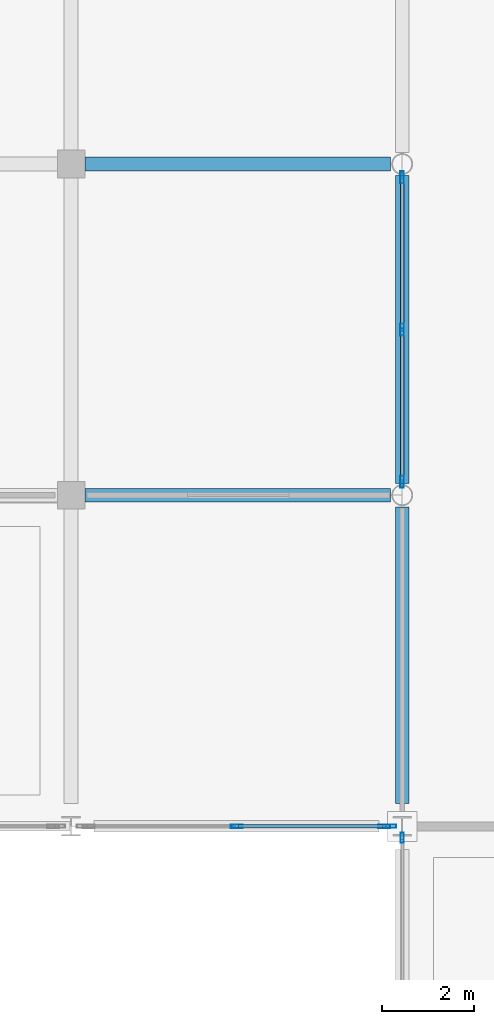
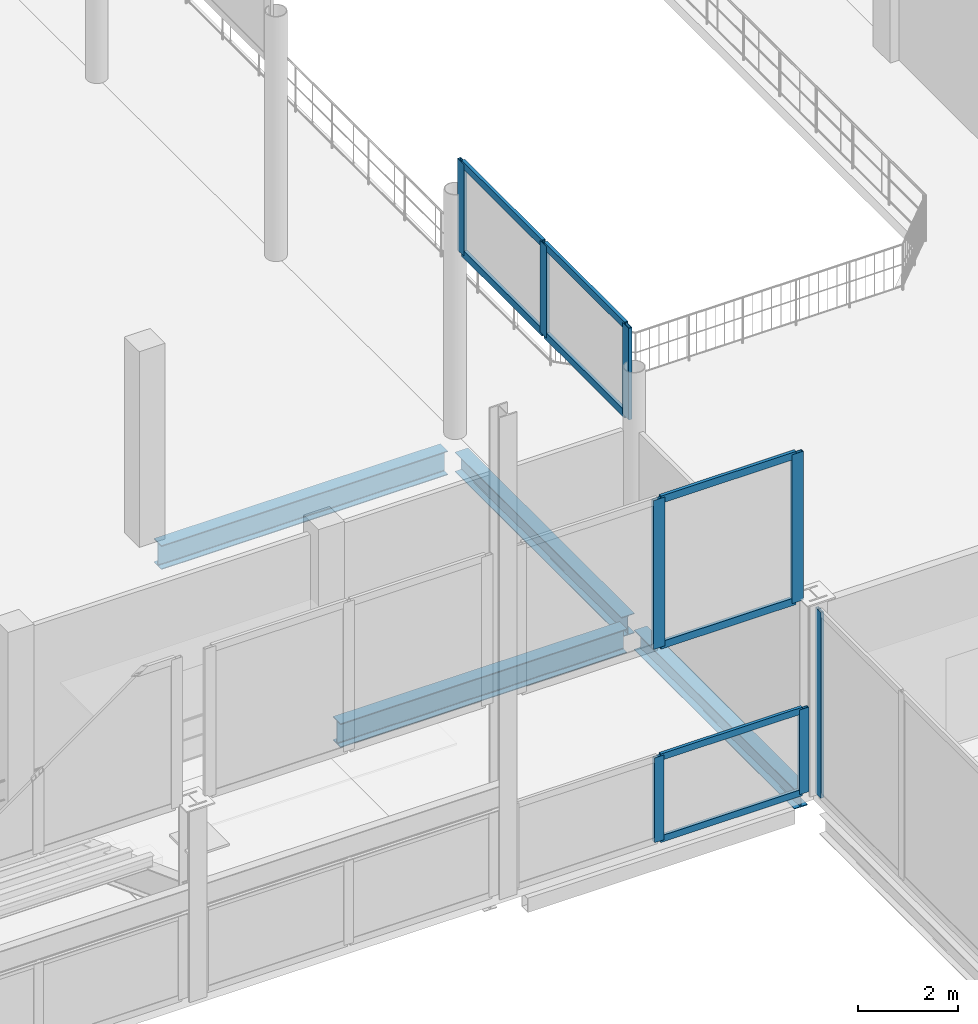
# One storey, part 33 of 120: 16 members, 4 beams, 4 elements without a shape of their own.
"""IFC4 building model written with IfcOpenShell, lengths in metres."""

from ifc_helpers import new_model, si_unit, direction, frame, origin, origin_2d, place, context, subcontext, project, spatial, hollow_rectangle, i_section, extrude, material, material_profile, profile_set, type_object, element, aggregate, save


model = new_model("IFC4")

# Units and contexts
model_context = context("Model", 3, precision=1e-05, world=origin(), true_north=direction((0.0, 1.0)))
body_context = subcontext(model_context, "Body", "Model", "MODEL_VIEW")
ifc_project = project(units=[si_unit("LENGTHUNIT", "METRE"), si_unit("AREAUNIT", "SQUARE_METRE"), si_unit("VOLUMEUNIT", "CUBIC_METRE"), si_unit("PLANEANGLEUNIT", "RADIAN"), si_unit("MASSUNIT", "GRAM", prefix="KILO")], contexts=[model_context])

# Site, building, storey
site_placement = place(None, origin())
site = spatial("IfcSite", under=ifc_project, at=site_placement, CompositionType="ELEMENT")
building_placement = place(site_placement, origin())
building = spatial("IfcBuilding", under=site, at=building_placement, Name="Vesperath Aquatics Centre", CompositionType="ELEMENT")
storey_placement = place(building_placement, frame((0.0, 0.0, 10.199951171875)))
storey = spatial("IfcBuildingStorey", under=building, at=storey_placement, Name="L02", CompositionType="ELEMENT", Elevation=10.199951171875)

# Beams
ifc_material_1 = material(Name="Steel Q355C", Category="steel")
ifc_material_profile_1 = material_profile(ifc_material_1, i_section(OverallWidth=0.300048828125, OverallDepth=0.587890625, WebThickness=0.011962890625, FlangeThickness=0.02001953125, FilletRadius=0.028076171875, at=origin_2d()), Name="HM 588x300x12x20")
ifc_profile_set_1 = profile_set([ifc_material_profile_1], Name="Steel Q355C")
beam_type_1 = type_object("IfcBeamType", Name="BM-G09", PredefinedType="BEAM", material=ifc_profile_set_1)
for number, where, z_axis, x_axis, name in (
    (1, (93.89990234375, 21.60009765625, -0.553955078125), (1.0, 0.0, 0.0), (0.0, 1.0, 0.0), "Floor Girder B09 L02 D 14-15"),
    (2, (93.89990234375, 28.800048828125, -0.553955078125), (1.0, 0.0, 0.0), (0.0, 1.0, 0.0), "Floor Girder B09 L02 E 14-15"),
):
    element("IfcBeam", number, at=place(storey_placement, frame(where, z_axis=z_axis, x_axis=x_axis)), inside=storey, type_object=beam_type_1, Name=name, PredefinedType="BEAM", context=body_context, shape_type="SweptSolid", body=[
        extrude(i_section(OverallWidth=0.300048828125, OverallDepth=0.587890625, WebThickness=0.011962890625, FlangeThickness=0.02001953125, FilletRadius=0.028076171875, at=origin_2d()), origin(), (0.0, 0.0, 1.0), 6.64599609375),
    ])
ifc_material_profile_2 = material_profile(ifc_material_1, i_section(OverallWidth=0.300048828125, OverallDepth=0.488037109375, WebThickness=0.010986328125, FlangeThickness=0.01806640625, FilletRadius=0.02587890625, at=origin_2d()), Name="HM 488x300x11x18")
ifc_profile_set_2 = profile_set([ifc_material_profile_2], Name="Steel Q355C")
beam_type_2 = type_object("IfcBeamType", Name="BM-G10", PredefinedType="BEAM", material=ifc_profile_set_2)
beam_1_placement = place(storey_placement, frame((100.800048828125, 14.89990234375, -0.50390625), z_axis=(0.0, 1.0, 0.0), x_axis=(-1.0, 0.0, 0.0)))
element("IfcBeam", 3, at=beam_1_placement, inside=storey, type_object=beam_type_2, Name="Floor Girder B10 L02 15 C-D", PredefinedType="BEAM", context=body_context, shape_type="SweptSolid", body=[
    extrude(i_section(OverallWidth=0.300048828125, OverallDepth=0.488037109375, WebThickness=0.010986328125, FlangeThickness=0.01806640625, FilletRadius=0.02587890625, at=origin_2d()), origin(), (0.0, 0.0, 1.0), 6.446044921875),
])
beam_2_placement = place(storey_placement, frame((100.800048828125, 21.85400390625, -0.50390625), z_axis=(0.0, 1.0, 0.0), x_axis=(-1.0, 0.0, 0.0)))
element("IfcBeam", 4, at=beam_2_placement, inside=storey, type_object=beam_type_2, Name="Floor Girder B10 L02 15 D-E", PredefinedType="BEAM", context=body_context, shape_type="SweptSolid", body=[
    extrude(i_section(OverallWidth=0.300048828125, OverallDepth=0.488037109375, WebThickness=0.010986328125, FlangeThickness=0.01806640625, FilletRadius=0.02587890625, at=origin_2d()), origin(), (0.0, 0.0, 1.0), 6.69189453125),
])

# Curtain wall, members
ifc_material_2 = material(Name="Thermally broken anodised bronze aluminium curtain wall", Category="aluminium")
curtain_wall_type_1 = type_object("IfcCurtainWallType", Name="CW-08", PredefinedType="NOTDEFINED", material=ifc_material_2)
curtain_wall_1_placement = place(storey_placement, origin())
curtain_wall_1 = element("IfcCurtainWall", 5, at=curtain_wall_1_placement, inside=storey, type_object=curtain_wall_type_1, Name="Natatorium Gable East Curtain Wall CW08 S-7E", PredefinedType="NOTDEFINED")
ifc_material_3 = material(Name="Thermally broken anodised aluminium", Category="aluminium")
ifc_material_profile_3 = material_profile(ifc_material_3, hollow_rectangle(XDim=0.074951171875, YDim=0.260009765625, WallThickness=0.006103515625, at=origin_2d()), Name="CWM 75x260x6")
ifc_profile_set_3 = profile_set([ifc_material_profile_3], Name="Thermally broken anodised aluminium")
member_type_1 = type_object("IfcMemberType", Name="MB-CWM1", PredefinedType="MULLION", material=ifc_profile_set_3)
member_1_placement = place(storey_placement, frame((97.199951171875, 14.39990234375, 4.75), z_axis=(0.0, 0.0, 1.0), x_axis=(0.0, 1.0, 0.0)))
member_1 = element("IfcMember", 6, at=member_1_placement, type_object=member_type_1, Name="CW08 mullion 2", PredefinedType="MULLION", context=body_context, shape_type="SweptSolid", body=[
    extrude(hollow_rectangle(XDim=0.074951171875, YDim=0.260009765625, WallThickness=0.006103515625, at=origin_2d()), origin(), (0.0, 0.0, 1.0), 3.650146484375),
])
member_2_placement = place(storey_placement, frame((100.41259765625, 14.39990234375, 4.75), z_axis=(0.0, 0.0, 1.0), x_axis=(0.0, 1.0, 0.0)))
member_2 = element("IfcMember", 7, at=member_2_placement, type_object=member_type_1, Name="CW08 mullion 3", PredefinedType="MULLION", context=body_context, shape_type="SweptSolid", body=[
    extrude(hollow_rectangle(XDim=0.074951171875, YDim=0.260009765625, WallThickness=0.006103515625, at=origin_2d()), origin(), (0.0, 0.0, 1.0), 3.650146484375),
])

curtain_wall_type_2 = type_object("IfcCurtainWallType", Name="CW-09", PredefinedType="NOTDEFINED", material=ifc_material_2)
curtain_wall_2_placement = place(storey_placement, origin())
curtain_wall_2 = element("IfcCurtainWall", 8, at=curtain_wall_2_placement, inside=storey, type_object=curtain_wall_type_2, Name="Natatorium End Clerestory Curtain Wall CW09 E-4", PredefinedType="NOTDEFINED")
member_3_placement = place(storey_placement, frame((100.800048828125, 21.887451171875, 4.60009765625), z_axis=(0.0, 0.0, 1.0), x_axis=(-1.0, 0.0, 0.0)))
member_3 = element("IfcMember", 9, at=member_3_placement, type_object=member_type_1, Name="CW09 mullion 1", PredefinedType="MULLION", context=body_context, shape_type="SweptSolid", body=[
    extrude(hollow_rectangle(XDim=0.074951171875, YDim=0.260009765625, WallThickness=0.006103515625, at=origin_2d()), origin(), (0.0, 0.0, 1.0), 2.25),
])
member_4_placement = place(storey_placement, frame((100.800048828125, 25.199951171875, 4.60009765625), z_axis=(0.0, 0.0, 1.0), x_axis=(-1.0, 0.0, 0.0)))
member_4 = element("IfcMember", 10, at=member_4_placement, type_object=member_type_1, Name="CW09 mullion 2", PredefinedType="MULLION", context=body_context, shape_type="SweptSolid", body=[
    extrude(hollow_rectangle(XDim=0.074951171875, YDim=0.260009765625, WallThickness=0.006103515625, at=origin_2d()), origin(), (0.0, 0.0, 1.0), 2.25),
])
member_5_placement = place(storey_placement, frame((100.800048828125, 28.512451171875, 4.60009765625), z_axis=(0.0, 0.0, 1.0), x_axis=(-1.0, 0.0, 0.0)))
member_5 = element("IfcMember", 11, at=member_5_placement, type_object=member_type_1, Name="CW09 mullion 3", PredefinedType="MULLION", context=body_context, shape_type="SweptSolid", body=[
    extrude(hollow_rectangle(XDim=0.074951171875, YDim=0.260009765625, WallThickness=0.006103515625, at=origin_2d()), origin(), (0.0, 0.0, 1.0), 2.25),
])

curtain_wall_type_3 = type_object("IfcCurtainWallType", Name="CW-06", PredefinedType="NOTDEFINED", material=ifc_material_2)
curtain_wall_3_placement = place(storey_placement, origin())
curtain_wall_3 = element("IfcCurtainWall", 12, at=curtain_wall_3_placement, inside=storey, type_object=curtain_wall_type_3, Name="Facade Curtain Wall CW06 L02_S_13_02", PredefinedType="NOTDEFINED")
ifc_material_profile_4 = material_profile(ifc_material_3, hollow_rectangle(XDim=0.070068359375, YDim=0.219970703125, WallThickness=0.0048828125, at=origin_2d()), Name="CWM 70x220x5")
ifc_profile_set_4 = profile_set([ifc_material_profile_4], Name="Thermally broken anodised aluminium")
member_type_2 = type_object("IfcMemberType", Name="MB-CWM2", PredefinedType="MULLION", material=ifc_profile_set_4)
member_6_placement = place(storey_placement, frame((97.199951171875, 14.39990234375, 0.0), z_axis=(0.0, 0.0, 1.0), x_axis=(0.0, 1.0, 0.0)))
member_6 = element("IfcMember", 13, at=member_6_placement, type_object=member_type_2, Name="CW06 mullion 2", PredefinedType="MULLION", context=body_context, shape_type="SweptSolid", body=[
    extrude(hollow_rectangle(XDim=0.070068359375, YDim=0.219970703125, WallThickness=0.0048828125, at=origin_2d()), origin(), (0.0, 0.0, 1.0), 2.080078125),
])
member_7_placement = place(storey_placement, frame((100.5615234375, 14.39990234375, 0.0), z_axis=(0.0, 0.0, 1.0), x_axis=(0.0, 1.0, 0.0)))
member_7 = element("IfcMember", 14, at=member_7_placement, type_object=member_type_2, Name="CW06 mullion 3", PredefinedType="MULLION", context=body_context, shape_type="SweptSolid", body=[
    extrude(hollow_rectangle(XDim=0.070068359375, YDim=0.219970703125, WallThickness=0.0048828125, at=origin_2d()), origin(), (0.0, 0.0, 1.0), 2.080078125),
])

# Curtain wall, member
curtain_wall_4_placement = place(storey_placement, origin())
curtain_wall_4 = element("IfcCurtainWall", 15, at=curtain_wall_4_placement, inside=storey, type_object=curtain_wall_type_3, Name="Facade Curtain Wall CW06 L02_W_14_01", PredefinedType="NOTDEFINED")
member_8_placement = place(storey_placement, frame((100.800048828125, 14.15087890625, 0.0), z_axis=(0.0, 0.0, 1.0), x_axis=(-1.0, 0.0, 0.0)))
member_8 = element("IfcMember", 16, at=member_8_placement, type_object=member_type_2, Name="CW06 mullion 3", PredefinedType="MULLION", context=body_context, shape_type="SweptSolid", body=[
    extrude(hollow_rectangle(XDim=0.070068359375, YDim=0.219970703125, WallThickness=0.0048828125, at=origin_2d()), origin(), (0.0, 0.0, 1.0), 4.56005859375),
])
aggregate(curtain_wall_4, [member_8])

# Member
ifc_material_profile_5 = material_profile(ifc_material_3, hollow_rectangle(XDim=0.074951171875, YDim=0.179931640625, WallThickness=0.0048828125, at=origin_2d()), Name="CWT 75x180x5")
ifc_profile_set_5 = profile_set([ifc_material_profile_5], Name="Thermally broken anodised aluminium")
member_type_3 = type_object("IfcMemberType", Name="MB-CWT1", PredefinedType="USERDEFINED", material=ifc_profile_set_5)
member_9_placement = place(storey_placement, frame((97.237548828125, 14.39990234375, 4.78759765625), z_axis=(1.0, 0.0, 0.0), x_axis=(0.0, 1.0, 0.0)))
member_9 = element("IfcMember", 17, at=member_9_placement, type_object=member_type_3, Name="CW08 transom 2.1", ObjectType="TRANSOM", PredefinedType="USERDEFINED", context=body_context, shape_type="SweptSolid", body=[
    extrude(hollow_rectangle(XDim=0.074951171875, YDim=0.179931640625, WallThickness=0.0048828125, at=origin_2d()), origin(), (0.0, 0.0, 1.0), 3.137451171875),
])

member_10_placement = place(storey_placement, frame((97.237548828125, 14.39990234375, 8.362548828125), z_axis=(1.0, 0.0, 0.0), x_axis=(0.0, 1.0, 0.0)))
member_10 = element("IfcMember", 18, at=member_10_placement, type_object=member_type_3, Name="CW08 transom 2.2", ObjectType="TRANSOM", PredefinedType="USERDEFINED", context=body_context, shape_type="SweptSolid", body=[
    extrude(hollow_rectangle(XDim=0.074951171875, YDim=0.179931640625, WallThickness=0.0048828125, at=origin_2d()), origin(), (0.0, 0.0, 1.0), 3.137451171875),
])

aggregate(curtain_wall_1, [member_1, member_2, member_9, member_10])

member_11_placement = place(storey_placement, frame((100.800048828125, 21.925048828125, 4.637451171875), z_axis=(0.0, 1.0, 0.0), x_axis=(-1.0, 0.0, 0.0)))
member_11 = element("IfcMember", 19, at=member_11_placement, type_object=member_type_3, Name="CW09 transom 1.1", ObjectType="TRANSOM", PredefinedType="USERDEFINED", context=body_context, shape_type="SweptSolid", body=[
    extrude(hollow_rectangle(XDim=0.074951171875, YDim=0.179931640625, WallThickness=0.0048828125, at=origin_2d()), origin(), (0.0, 0.0, 1.0), 3.237548828125),
])

member_12_placement = place(storey_placement, frame((100.800048828125, 21.925048828125, 6.8125), z_axis=(0.0, 1.0, 0.0), x_axis=(-1.0, 0.0, 0.0)))
member_12 = element("IfcMember", 20, at=member_12_placement, type_object=member_type_3, Name="CW09 transom 1.2", ObjectType="TRANSOM", PredefinedType="USERDEFINED", context=body_context, shape_type="SweptSolid", body=[
    extrude(hollow_rectangle(XDim=0.074951171875, YDim=0.179931640625, WallThickness=0.0048828125, at=origin_2d()), origin(), (0.0, 0.0, 1.0), 3.237548828125),
])

member_13_placement = place(storey_placement, frame((100.800048828125, 25.237548828125, 4.637451171875), z_axis=(0.0, 1.0, 0.0), x_axis=(-1.0, 0.0, 0.0)))
member_13 = element("IfcMember", 21, at=member_13_placement, type_object=member_type_3, Name="CW09 transom 2.1", ObjectType="TRANSOM", PredefinedType="USERDEFINED", context=body_context, shape_type="SweptSolid", body=[
    extrude(hollow_rectangle(XDim=0.074951171875, YDim=0.179931640625, WallThickness=0.0048828125, at=origin_2d()), origin(), (0.0, 0.0, 1.0), 3.237548828125),
])

member_14_placement = place(storey_placement, frame((100.800048828125, 25.237548828125, 6.8125), z_axis=(0.0, 1.0, 0.0), x_axis=(-1.0, 0.0, 0.0)))
member_14 = element("IfcMember", 22, at=member_14_placement, type_object=member_type_3, Name="CW09 transom 2.2", ObjectType="TRANSOM", PredefinedType="USERDEFINED", context=body_context, shape_type="SweptSolid", body=[
    extrude(hollow_rectangle(XDim=0.074951171875, YDim=0.179931640625, WallThickness=0.0048828125, at=origin_2d()), origin(), (0.0, 0.0, 1.0), 3.237548828125),
])

aggregate(curtain_wall_2, [member_3, member_4, member_5, member_11, member_12, member_13, member_14])

ifc_material_profile_6 = material_profile(ifc_material_3, hollow_rectangle(XDim=0.070068359375, YDim=0.159912109375, WallThickness=0.0048828125, at=origin_2d()), Name="CWT 70x160x5")
ifc_profile_set_6 = profile_set([ifc_material_profile_6], Name="Thermally broken anodised aluminium")
member_type_4 = type_object("IfcMemberType", Name="MB-CWT2", PredefinedType="USERDEFINED", material=ifc_profile_set_6)
member_15_placement = place(storey_placement, frame((97.235107421875, 14.39990234375, 0.03515625), z_axis=(1.0, 0.0, 0.0), x_axis=(0.0, 1.0, 0.0)))
member_15 = element("IfcMember", 23, at=member_15_placement, type_object=member_type_4, Name="CW06 transom 2.1", ObjectType="TRANSOM", PredefinedType="USERDEFINED", context=body_context, shape_type="SweptSolid", body=[
    extrude(hollow_rectangle(XDim=0.070068359375, YDim=0.159912109375, WallThickness=0.0048828125, at=origin_2d()), origin(), (0.0, 0.0, 1.0), 3.29150390625),
])

member_16_placement = place(storey_placement, frame((97.235107421875, 14.39990234375, 2.045166015625), z_axis=(1.0, 0.0, 0.0), x_axis=(0.0, 1.0, 0.0)))
member_16 = element("IfcMember", 24, at=member_16_placement, type_object=member_type_4, Name="CW06 transom 2.2", ObjectType="TRANSOM", PredefinedType="USERDEFINED", context=body_context, shape_type="SweptSolid", body=[
    extrude(hollow_rectangle(XDim=0.070068359375, YDim=0.159912109375, WallThickness=0.0048828125, at=origin_2d()), origin(), (0.0, 0.0, 1.0), 3.29150390625),
])

aggregate(curtain_wall_3, [member_6, member_7, member_15, member_16])

save(model, "model.ifc")
